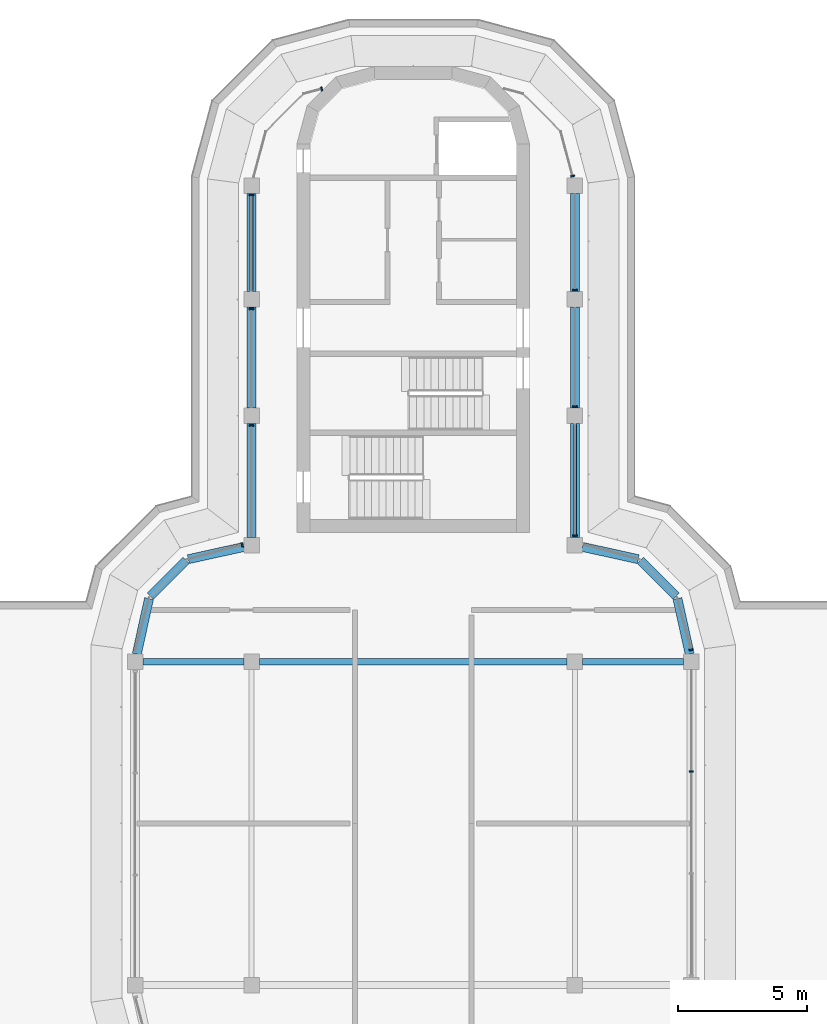
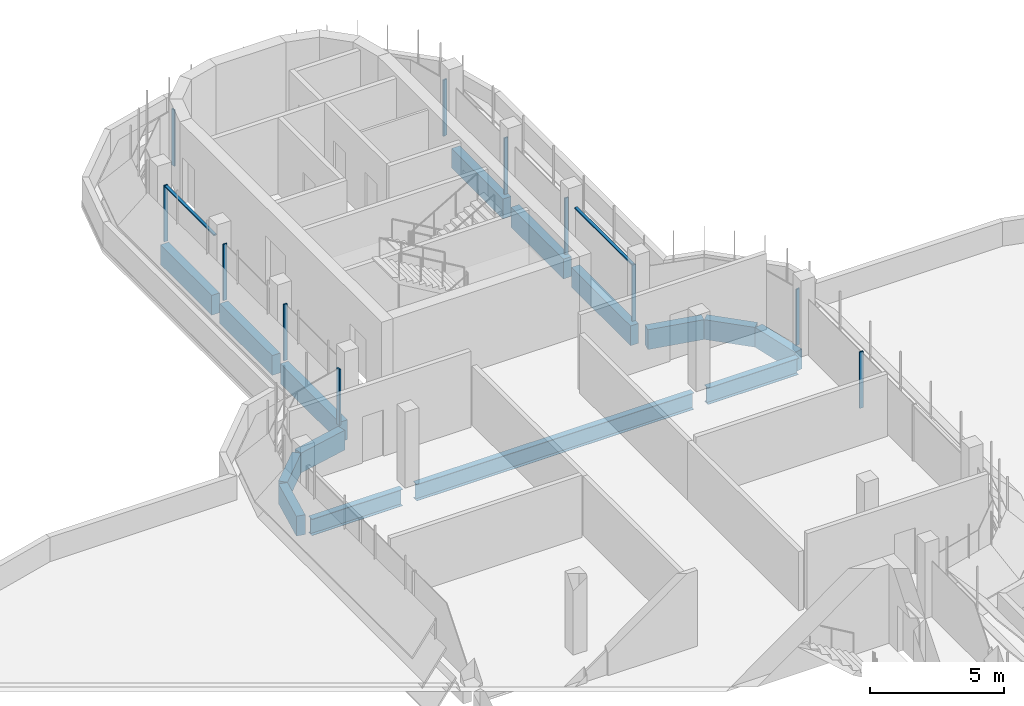
# One storey, part 4 of 13: 15 beams, 13 members, 7 elements without a shape of their own.
"""IFC4 building model written with IfcOpenShell, lengths in metres."""

import ifcopenshell
import ifcopenshell.guid

model = None  # the IFC model being written
_history = None  # IfcOwnerHistory: only IFC2X3 demands one
_inside = {}  # id of a spatial element -> (the spatial element, [elements in it])
_under = {}  # id of a project, library or spatial element -> (it, [spatial elements below it])
_declared = {}  # id of a project -> (the project, [libraries it declares])
_typed = {}  # id of a type object -> (the type object, [elements of that type])
_made_of = {}  # id of a material, layer set ... -> (it, [elements and type objects made of it])


def new_model(schema):
    """Start an empty IFC model of exactly this schema.

    Asked for "IFC4X3", IfcOpenShell would pick the latest addendum, in which some entities
    have other attributes; the version numbers below select the first issue.
    IFC2X3 requires an IfcOwnerHistory on every rooted entity: one is made here for all.
    """
    global model, _history
    if schema == "IFC4X3":
        model = ifcopenshell.file(schema_version=(4, 3, 0, 0))
    else:
        model = ifcopenshell.file(schema=schema)
    _inside.clear()
    _under.clear()
    _declared.clear()
    _typed.clear()
    _made_of.clear()
    _history = None
    if model.schema == "IFC2X3":
        org = make("IfcOrganization", Name="unknown")
        user = make(
            "IfcPersonAndOrganization",
            ThePerson=make("IfcPerson", FamilyName="unknown"),
            TheOrganization=org,
        )
        app = make(
            "IfcApplication",
            ApplicationDeveloper=org,
            Version="unknown",
            ApplicationFullName="unknown",
            ApplicationIdentifier="unknown",
        )
        _history = make(
            "IfcOwnerHistory",
            OwningUser=user,
            OwningApplication=app,
            ChangeAction="ADDED",
            CreationDate=0,
        )
    return model


def make(cls, **values):
    """One entity of the class cls with the attributes given. An attribute that is None is left unset."""
    return model.create_entity(
        cls, **{name: value for name, value in values.items() if value is not None}
    )


def rooted(cls, **values):
    """An entity with a GlobalId (a new one), such as an element, a storey or a relation."""
    return make(cls, GlobalId=ifcopenshell.guid.new(), OwnerHistory=_history, **values)


def si_unit(unit_type, name, prefix=None):
    """IfcSIUnit, for example si_unit("LENGTHUNIT", "METRE", prefix="MILLI")."""
    return make("IfcSIUnit", UnitType=unit_type, Prefix=prefix, Name=name)


def assignment(units):
    """IfcUnitAssignment: the units of a project."""
    return None if units is None else make("IfcUnitAssignment", Units=units)


def point(xyz):
    """IfcCartesianPoint."""
    return None if xyz is None else make("IfcCartesianPoint", Coordinates=xyz)


def direction(xyz):
    """IfcDirection."""
    return None if xyz is None else make("IfcDirection", DirectionRatios=xyz)


def frame(location, z_axis=None, x_axis=None):
    """IfcAxis2Placement3D, a coordinate frame: its origin and axes. An axis left out is left unset."""
    return make(
        "IfcAxis2Placement3D",
        Location=point(location),
        Axis=direction(z_axis),
        RefDirection=direction(x_axis),
    )


def frame_2d(location, x_axis=None):
    """IfcAxis2Placement2D, a coordinate frame in the plane: its origin and x axis."""
    return make(
        "IfcAxis2Placement2D", Location=point(location), RefDirection=direction(x_axis)
    )


def origin():
    """The frame at (0, 0, 0) with its axes left unset."""
    return frame((0.0, 0.0, 0.0))


def origin_2d():
    """The frame at (0, 0) in the plane with its x axis left unset."""
    return frame_2d((0.0, 0.0))


def place(relative_to, where):
    """IfcLocalPlacement: puts the frame where relative to a parent placement (None: the world)."""
    return make(
        "IfcLocalPlacement", PlacementRelTo=relative_to, RelativePlacement=where
    )


def context(
    kind, dimensions, precision=None, world=None, true_north=None, identifier=None
):
    """IfcGeometricRepresentationContext, for example the 3D "Model" context."""
    return make(
        "IfcGeometricRepresentationContext",
        ContextIdentifier=identifier,
        ContextType=kind,
        CoordinateSpaceDimension=dimensions,
        Precision=precision,
        WorldCoordinateSystem=world,
        TrueNorth=true_north,
    )


def subcontext(parent, identifier, kind, view, scale=None):
    """IfcGeometricRepresentationSubContext, for example "Body" below "Model"."""
    return make(
        "IfcGeometricRepresentationSubContext",
        ContextIdentifier=identifier,
        ContextType=kind,
        ParentContext=parent,
        TargetScale=scale,
        TargetView=view,
    )


def project(units=None, contexts=None):
    """IfcProject with its units and contexts."""
    return rooted(
        "IfcProject",
        Name="project",
        RepresentationContexts=contexts,
        UnitsInContext=assignment(units),
    )


def spatial(cls, under=None, at=None, **own):
    """A site, building, storey or space (cls), placed at a placement, below another one or the project."""
    s = rooted(cls, ObjectPlacement=at, **own)
    if under is not None:
        _under.setdefault(under.id(), (under, []))[1].append(s)
    return s


def polyline(points):
    """IfcPolyline through the points."""
    return make("IfcPolyline", Points=[point(p) for p in points])


def profile(cls, at=None, kind="AREA", **sizes):
    """A parametric profile (cls). Its sizes go by their IFC names, for example OverallWidth=200.0."""
    return make(cls, ProfileType=kind, Position=at, **sizes)


def rectangle(**sizes):
    """IfcRectangleProfileDef."""
    return profile("IfcRectangleProfileDef", **sizes)


def i_section(**sizes):
    """IfcIShapeProfileDef."""
    return profile("IfcIShapeProfileDef", **sizes)


def outline(outer, holes=None, kind="AREA"):
    """IfcArbitraryClosedProfileDef: a profile drawn as a closed curve; with holes, ...WithVoids."""
    if holes is None:
        return make("IfcArbitraryClosedProfileDef", ProfileType=kind, OuterCurve=outer)
    return make(
        "IfcArbitraryProfileDefWithVoids",
        ProfileType=kind,
        OuterCurve=outer,
        InnerCurves=holes,
    )


def extrude(swept, where, along, depth):
    """IfcExtrudedAreaSolid: the profile swept, set in the frame where, extruded along a direction by depth."""
    return make(
        "IfcExtrudedAreaSolid",
        SweptArea=swept,
        Position=where,
        ExtrudedDirection=direction(along),
        Depth=depth,
    )


def shape(context_of_items, identifier, shape_type, items):
    """IfcShapeRepresentation: the items that make up one representation, for example the "Body"."""
    return make(
        "IfcShapeRepresentation",
        ContextOfItems=context_of_items,
        RepresentationIdentifier=identifier,
        RepresentationType=shape_type,
        Items=items,
    )


def source(mapping_origin, context_of_items, identifier, shape_type, items):
    """IfcRepresentationMap: a shape defined once, which mapped items show again and again."""
    return make(
        "IfcRepresentationMap",
        MappingOrigin=mapping_origin,
        MappedRepresentation=shape(context_of_items, identifier, shape_type, items),
    )


def transform(
    local_origin,
    x_axis=None,
    y_axis=None,
    z_axis=None,
    scale=None,
    scale2=None,
    scale3=None,
    uniform=True,
):
    """IfcCartesianTransformationOperator3D, or its non-uniform kind. x_axis, y_axis, z_axis: its Axis1, 2, 3."""
    if uniform:
        return make(
            "IfcCartesianTransformationOperator3D",
            Axis1=direction(x_axis),
            Axis2=direction(y_axis),
            LocalOrigin=point(local_origin),
            Scale=scale,
            Axis3=direction(z_axis),
        )
    return make(
        "IfcCartesianTransformationOperator3DnonUniform",
        Axis1=direction(x_axis),
        Axis2=direction(y_axis),
        LocalOrigin=point(local_origin),
        Scale=scale,
        Axis3=direction(z_axis),
        Scale2=scale2,
        Scale3=scale3,
    )


def mapped(mapping_source, mapping_target):
    """IfcMappedItem: shows the shape of a source again, moved by a transform."""
    return make(
        "IfcMappedItem", MappingSource=mapping_source, MappingTarget=mapping_target
    )


def material(Name=None, Category=None):
    """IfcMaterial."""
    return make("IfcMaterial", Name=Name, Category=Category)


def material_profile(
    of_material, cross_section, Name=None, Category=None, Priority=None
):
    """IfcMaterialProfile: a cross section and its material."""
    return make(
        "IfcMaterialProfile",
        Name=Name,
        Material=of_material,
        Profile=cross_section,
        Priority=Priority,
        Category=Category,
    )


def profile_set(profiles, Name=None, composite=None):
    """IfcMaterialProfileSet."""
    return make(
        "IfcMaterialProfileSet",
        Name=Name,
        MaterialProfiles=profiles,
        CompositeProfile=composite,
    )


def made_of(thing, what):
    """Note that an element or type object is made of a material, layer set ...; save() writes the relation."""
    if what is not None:
        _made_of.setdefault(what.id(), (what, []))[1].append(thing)
    return thing


def type_object(cls, material=None, **own):
    """A type object (cls), such as IfcWallType, which elements share."""
    return made_of(rooted(cls, **own), material)


def element(
    cls,
    number,
    at=None,
    inside=None,
    cuts=None,
    type_object=None,
    material=None,
    context=None,
    identifier="Body",
    shape_type=None,
    held_by="IfcProductDefinitionShape",
    body=None,
    shapes=None,
    **own,
):
    """One element of the class cls, such as IfcWall. Its Tag is "e" and its number.

    at: its placement. inside: the storey or other place that contains it. cuts: it is an
    opening in that element (IfcRelVoidsElement). A single representation is given by context,
    identifier, shape_type and body (its items); several are given by shapes. held_by: the class
    of the entity that holds the representations. save() writes the other relations.
    """
    e = rooted(cls, Tag="e%d" % number, ObjectPlacement=at, **own)
    if body is not None:
        shapes = [shape(context, identifier, shape_type, body)]
    if shapes is not None:
        e.Representation = make(held_by, Representations=shapes)
    if inside is not None:
        _inside.setdefault(inside.id(), (inside, []))[1].append(e)
    if cuts is not None:
        rooted(
            "IfcRelVoidsElement", RelatingBuildingElement=cuts, RelatedOpeningElement=e
        )
    if type_object is not None:
        _typed.setdefault(type_object.id(), (type_object, []))[1].append(e)
    return made_of(e, material)


def aggregate(whole, parts):
    """IfcRelAggregates: a whole, such as a stair, and the parts it consists of."""
    return rooted("IfcRelAggregates", RelatingObject=whole, RelatedObjects=parts)


def save(model, path):
    """Write the relations noted so far, then the file.

    IfcRelAggregates (storeys below a building ...), IfcRelContainedInSpatialStructure (elements
    in a storey), IfcRelDefinesByType, IfcRelAssociatesMaterial and IfcRelDeclares: one each for
    every whole, place, type object, material and project.
    """
    for whole, parts in _under.values():
        aggregate(whole, parts)
    for where, things in _inside.values():
        rooted(
            "IfcRelContainedInSpatialStructure",
            RelatedElements=things,
            RelatingStructure=where,
        )
    for kind, things in _typed.values():
        rooted("IfcRelDefinesByType", RelatedObjects=things, RelatingType=kind)
    for what, things in _made_of.values():
        rooted("IfcRelAssociatesMaterial", RelatedObjects=things, RelatingMaterial=what)
    for by, libraries in _declared.values():
        rooted("IfcRelDeclares", RelatingContext=by, RelatedDefinitions=libraries)
    model.write(path)


model = new_model("IFC4")

# Units and contexts
model_context = context("Model", 3, precision=1e-05, world=origin(), true_north=direction((0.0, 1.0)))
body_context = subcontext(model_context, "Body", "Model", "MODEL_VIEW")
ifc_project = project(units=[si_unit("LENGTHUNIT", "METRE"), si_unit("AREAUNIT", "SQUARE_METRE"), si_unit("VOLUMEUNIT", "CUBIC_METRE"), si_unit("PLANEANGLEUNIT", "RADIAN"), si_unit("MASSUNIT", "GRAM", prefix="KILO")], contexts=[model_context])

# Site, building, storey
site_placement = place(None, origin())
site = spatial("IfcSite", under=ifc_project, at=site_placement, CompositionType="ELEMENT")
building_placement = place(site_placement, origin())
building = spatial("IfcBuilding", under=site, at=building_placement, Name="Zarbagh Exchange Tower", CompositionType="ELEMENT")
storey_placement = place(building_placement, frame((0.0, 0.0, 298.800048828125)))
storey = spatial("IfcBuildingStorey", under=building, at=storey_placement, Name="L73", CompositionType="ELEMENT", Elevation=298.800048828125)

# Beams
ifc_material_1 = material(Name="Steel ASTM A992 Gr 50", Category="steel")
ifc_material_profile_1 = material_profile(ifc_material_1, i_section(OverallWidth=0.26416015625, OverallDepth=0.749267578125, WebThickness=0.011962890625, FlangeThickness=0.015380859375, at=origin_2d()), Name="W30X90")
ifc_profile_set_1 = profile_set([ifc_material_profile_1], Name="Steel ASTM A992 Gr 50")
beam_type_1 = type_object("IfcBeamType", Name="Floor girder W30X90", PredefinedType="BEAM", material=ifc_profile_set_1)
beam_1_placement = place(storey_placement, frame((-10.449951171875, 6.25, -0.524658203125), z_axis=(1.0, 0.0, 0.0), x_axis=(0.0, 1.0, 0.0)))
element("IfcBeam", 1, at=beam_1_placement, inside=storey, type_object=beam_type_1, Name="Steel girder", PredefinedType="BEAM", context=body_context, shape_type="SweptSolid", body=[
    extrude(i_section(OverallWidth=0.26416015625, OverallDepth=0.749267578125, WebThickness=0.011962890625, FlangeThickness=0.015380859375, at=origin_2d()), origin(), (0.0, 0.0, 1.0), 3.89990234375),
])
beam_2_placement = place(storey_placement, frame((-5.949951171875, 6.25, -0.524658203125), z_axis=(1.0, 0.0, 0.0), x_axis=(0.0, 1.0, 0.0)))
element("IfcBeam", 2, at=beam_2_placement, inside=storey, type_object=beam_type_1, Name="Steel girder", PredefinedType="BEAM", context=body_context, shape_type="SweptSolid", body=[
    extrude(i_section(OverallWidth=0.26416015625, OverallDepth=0.749267578125, WebThickness=0.011962890625, FlangeThickness=0.015380859375, at=origin_2d()), origin(), (0.0, 0.0, 1.0), 11.89990234375),
])
beam_3_placement = place(storey_placement, frame((6.550048828125, 6.25, -0.524658203125), z_axis=(1.0, 0.0, 0.0), x_axis=(0.0, 1.0, 0.0)))
element("IfcBeam", 3, at=beam_3_placement, inside=storey, type_object=beam_type_1, Name="Steel girder", PredefinedType="BEAM", context=body_context, shape_type="SweptSolid", body=[
    extrude(i_section(OverallWidth=0.26416015625, OverallDepth=0.749267578125, WebThickness=0.011962890625, FlangeThickness=0.015380859375, at=origin_2d()), origin(), (0.0, 0.0, 1.0), 3.89990234375),
])
ifc_material_2 = material(Name="Concrete C40/50", Category="concrete")
ifc_material_profile_2 = material_profile(ifc_material_2, rectangle(XDim=0.35009765625, YDim=0.89990234375, at=origin_2d()), Name="RC spandrel beam 350 x 900 C40/50")
ifc_profile_set_2 = profile_set([ifc_material_profile_2], Name="Concrete C40/50")
beam_type_2 = type_object("IfcBeamType", Name="RC spandrel beam 350 x 900 C40/50", PredefinedType="SPANDREL", material=ifc_profile_set_2)
beam_4_placement = place(storey_placement, frame((-10.685302734375, 6.54296875, -0.60009765625), z_axis=(0.216025770228, 0.976387662047, 0.0), x_axis=(-0.976387662047, 0.216025770228, 0.0)))
element("IfcBeam", 4, at=beam_4_placement, inside=storey, type_object=beam_type_2, Name="RC spandrel beam", PredefinedType="SPANDREL", context=body_context, shape_type="SweptSolid", body=[
    extrude(rectangle(XDim=0.35009765625, YDim=0.89990234375, at=origin_2d()), origin(), (0.0, 0.0, 1.0), 2.200439453125),
])
beam_5_placement = place(storey_placement, frame((-10.16259765625, 8.77734375, -0.60009765625), z_axis=(0.707106781187, 0.707106781187, 0.0), x_axis=(-0.707106781187, 0.707106781187, 0.0)))
element("IfcBeam", 5, at=beam_5_placement, inside=storey, type_object=beam_type_2, Name="RC spandrel beam", PredefinedType="SPANDREL", context=body_context, shape_type="SweptSolid", body=[
    extrude(rectangle(XDim=0.35009765625, YDim=0.89990234375, at=origin_2d()), origin(), (0.0, 0.0, 1.0), 1.958984375),
])
beam_6_placement = place(storey_placement, frame((-8.69140625, 10.2099609375, -0.60009765625), z_axis=(0.976387662047, 0.216025770228, 0.0), x_axis=(-0.216025770228, 0.976387662047, 0.0)))
element("IfcBeam", 6, at=beam_6_placement, inside=storey, type_object=beam_type_2, Name="RC spandrel beam", PredefinedType="SPANDREL", context=body_context, shape_type="SweptSolid", body=[
    extrude(rectangle(XDim=0.35009765625, YDim=0.89990234375, at=origin_2d()), origin(), (0.0, 0.0, 1.0), 2.200439453125),
])
beam_7_placement = place(storey_placement, frame((-6.25, 11.050048828125, -0.60009765625), z_axis=(0.0, 1.0, 0.0), x_axis=(-1.0, 0.0, 0.0)))
element("IfcBeam", 7, at=beam_7_placement, inside=storey, type_object=beam_type_2, Name="RC spandrel beam", PredefinedType="SPANDREL", context=body_context, shape_type="SweptSolid", body=[
    extrude(rectangle(XDim=0.35009765625, YDim=0.89990234375, at=origin_2d()), origin(), (0.0, 0.0, 1.0), 4.39990234375),
])
beam_8_placement = place(storey_placement, frame((-6.25, 16.050048828125, -0.60009765625), z_axis=(0.0, 1.0, 0.0), x_axis=(-1.0, 0.0, 0.0)))
element("IfcBeam", 8, at=beam_8_placement, inside=storey, type_object=beam_type_2, Name="RC spandrel beam", PredefinedType="SPANDREL", context=body_context, shape_type="SweptSolid", body=[
    extrude(rectangle(XDim=0.35009765625, YDim=0.89990234375, at=origin_2d()), origin(), (0.0, 0.0, 1.0), 3.89990234375),
])
for number, where, z_axis, x_axis, name in (
    (9, (-6.25, 20.550048828125, -0.60009765625), (0.0, 1.0, 0.0), (-1.0, 0.0, 0.0), "RC spandrel beam"),
    (10, (6.25, 24.35009765625, -0.60009765625), (0.0, -1.0, 0.0), (1.0, 0.0, 0.0), "RC spandrel beam"),
):
    element("IfcBeam", number, at=place(storey_placement, frame(where, z_axis=z_axis, x_axis=x_axis)), inside=storey, type_object=beam_type_2, Name=name, PredefinedType="SPANDREL", context=body_context, shape_type="SweptSolid", body=[
        extrude(rectangle(XDim=0.35009765625, YDim=0.89990234375, at=origin_2d()), origin(), (0.0, 0.0, 1.0), 3.800048828125),
    ])
beam_9_placement = place(storey_placement, frame((6.25, 19.949951171875, -0.60009765625), z_axis=(0.0, -1.0, 0.0), x_axis=(1.0, 0.0, 0.0)))
element("IfcBeam", 11, at=beam_9_placement, inside=storey, type_object=beam_type_2, Name="RC spandrel beam", PredefinedType="SPANDREL", context=body_context, shape_type="SweptSolid", body=[
    extrude(rectangle(XDim=0.35009765625, YDim=0.89990234375, at=origin_2d()), origin(), (0.0, 0.0, 1.0), 3.89990234375),
])
beam_10_placement = place(storey_placement, frame((6.25, 15.449951171875, -0.60009765625), z_axis=(0.0, -1.0, 0.0), x_axis=(1.0, 0.0, 0.0)))
element("IfcBeam", 12, at=beam_10_placement, inside=storey, type_object=beam_type_2, Name="RC spandrel beam", PredefinedType="SPANDREL", context=body_context, shape_type="SweptSolid", body=[
    extrude(rectangle(XDim=0.35009765625, YDim=0.89990234375, at=origin_2d()), origin(), (0.0, 0.0, 1.0), 4.39990234375),
])
beam_11_placement = place(storey_placement, frame((6.54296875, 10.685302734375, -0.60009765625), z_axis=(0.976387662047, -0.216025770228, 0.0), x_axis=(0.216025770228, 0.976387662047, 0.0)))
element("IfcBeam", 13, at=beam_11_placement, inside=storey, type_object=beam_type_2, Name="RC spandrel beam", PredefinedType="SPANDREL", context=body_context, shape_type="SweptSolid", body=[
    extrude(rectangle(XDim=0.35009765625, YDim=0.89990234375, at=origin_2d()), origin(), (0.0, 0.0, 1.0), 2.200439453125),
])
beam_12_placement = place(storey_placement, frame((8.77734375, 10.16259765625, -0.60009765625), z_axis=(0.707106781187, -0.707106781187, 0.0), x_axis=(0.707106781187, 0.707106781187, 0.0)))
element("IfcBeam", 14, at=beam_12_placement, inside=storey, type_object=beam_type_2, Name="RC spandrel beam", PredefinedType="SPANDREL", context=body_context, shape_type="SweptSolid", body=[
    extrude(rectangle(XDim=0.35009765625, YDim=0.89990234375, at=origin_2d()), origin(), (0.0, 0.0, 1.0), 1.958984375),
])
beam_13_placement = place(storey_placement, frame((10.2099609375, 8.69140625, -0.60009765625), z_axis=(0.216025770228, -0.976387662047, 0.0), x_axis=(0.976387662047, 0.216025770228, 0.0)))
element("IfcBeam", 15, at=beam_13_placement, inside=storey, type_object=beam_type_2, Name="RC spandrel beam", PredefinedType="SPANDREL", context=body_context, shape_type="SweptSolid", body=[
    extrude(rectangle(XDim=0.35009765625, YDim=0.89990234375, at=origin_2d()), origin(), (0.0, 0.0, 1.0), 2.200439453125),
])

# Curtain wall, member
ifc_material_3 = material(Name="Anodised aluminium frame and glazing", Category="aluminium")
curtain_wall_type = type_object("IfcCurtainWallType", Name="CWF Crown tier glazing", PredefinedType="NOTDEFINED", material=ifc_material_3)
curtain_wall_1_placement = place(storey_placement, origin())
curtain_wall_1 = element("IfcCurtainWall", 16, at=curtain_wall_1_placement, inside=storey, type_object=curtain_wall_type, Name="CWF20 curtain wall", PredefinedType="NOTDEFINED")
ifc_material_4 = material(Name="Anodised aluminium frame", Category="aluminium")
member_type_1 = type_object("IfcMemberType", Name="TRF Transom, anodised aluminium frame", PredefinedType="USERDEFINED", material=ifc_material_4)
shared_shape_1 = source(origin(), body_context, "Body", "SweptSolid", [
    extrude(outline(polyline([(-0.06005859375, -0.06005859375), (0.0, -0.06005859375), (0.0, 0.06005859375), (-0.06005859375, 0.06005859375), (-0.06005859375, -0.06005859375)])), origin(), (0.0, 0.0, 1.0), 4.260009765625),
])
placement = place(storey_placement, origin())
member_1 = element("IfcMember", 17, at=placement, type_object=member_type_1, Name="CWF20 transom 1.1", ObjectType="TRANSOM", PredefinedType="USERDEFINED", context=body_context, shape_type="MappedRepresentation", body=[
    mapped(shared_shape_1, transform((6.25, 11.150146484375, 2.550048828125), x_axis=(0.0, 0.0, 1.0), y_axis=(1.0, 0.0, 0.0), z_axis=(0.0, 1.0, 0.0))),
])

curtain_wall_2_placement = place(storey_placement, origin())
curtain_wall_2 = element("IfcCurtainWall", 18, at=curtain_wall_2_placement, inside=storey, type_object=curtain_wall_type, Name="CWF27 curtain wall", PredefinedType="NOTDEFINED")
shared_shape_2 = source(origin(), body_context, "Body", "SweptSolid", [
    extrude(outline(polyline([(-0.06005859375, -0.06005859375), (0.0, -0.06005859375), (0.0, 0.06005859375), (-0.06005859375, 0.06005859375), (-0.06005859375, -0.06005859375)])), origin(), (0.0, 0.0, 1.0), 3.659912109375),
])
member_2 = element("IfcMember", 19, at=placement, type_object=member_type_1, Name="CWF27 transom 1.1", ObjectType="TRANSOM", PredefinedType="USERDEFINED", context=body_context, shape_type="MappedRepresentation", body=[
    mapped(shared_shape_2, transform((-6.25, 24.25, 2.550048828125), x_axis=(0.0, 0.0, 1.0), y_axis=(-1.0, 0.0, 0.0), z_axis=(0.0, -1.0, 0.0))),
])

curtain_wall_3_placement = place(storey_placement, origin())
curtain_wall_3 = element("IfcCurtainWall", 20, at=curtain_wall_3_placement, inside=storey, type_object=curtain_wall_type, Name="CWF47 curtain wall", PredefinedType="NOTDEFINED")
member_type_2 = type_object("IfcMemberType", Name="MUF Mullion, anodised aluminium frame", PredefinedType="MULLION", material=ifc_material_4)
shared_shape_3 = source(origin(), body_context, "Body", "SweptSolid", [
    extrude(outline(polyline([(0.0, -0.080078125), (0.06005859375, -0.080078125), (0.06005859375, 0.080078125), (0.0, 0.080078125), (0.0, -0.080078125)])), origin(), (0.0, 0.0, 1.0), 2.550048828125),
])
member_3 = element("IfcMember", 21, at=placement, type_object=member_type_2, Name="CWF47 mullion 1.3", PredefinedType="MULLION", context=body_context, shape_type="MappedRepresentation", body=[
    mapped(shared_shape_3, transform((10.75, 1.969970703125, 0.0), x_axis=(0.0, 1.0, 0.0), y_axis=(-1.0, 0.0, 0.0), z_axis=(0.0, 0.0, 1.0))),
])
aggregate(curtain_wall_3, [member_3])

curtain_wall_4_placement = place(storey_placement, origin())
curtain_wall_4 = element("IfcCurtainWall", 22, at=curtain_wall_4_placement, inside=storey, type_object=curtain_wall_type, Name="CWF17 curtain wall", PredefinedType="NOTDEFINED")
member_4 = element("IfcMember", 23, at=placement, type_object=member_type_2, Name="CWF17 mullion 1.1", PredefinedType="MULLION", context=body_context, shape_type="MappedRepresentation", body=[
    mapped(shared_shape_3, transform((10.75, 6.68408203125, 0.0), x_axis=(-0.258824779902, 0.965924289636, 0.0), y_axis=(-0.965924289636, -0.258824779902, 0.0), z_axis=(0.0, 0.0, 1.0))),
])
aggregate(curtain_wall_4, [member_4])

# Member
member_5 = element("IfcMember", 24, at=placement, type_object=member_type_2, Name="CWF20 mullion 1.1", PredefinedType="MULLION", context=body_context, shape_type="MappedRepresentation", body=[
    mapped(shared_shape_3, transform((6.25, 11.090087890625, 0.0), x_axis=(0.0, 1.0, 0.0), y_axis=(-1.0, 0.0, 0.0), z_axis=(0.0, 0.0, 1.0))),
])

member_6 = element("IfcMember", 25, at=placement, type_object=member_type_2, Name="CWF20 mullion 2.1", PredefinedType="MULLION", context=body_context, shape_type="MappedRepresentation", body=[
    mapped(shared_shape_3, transform((6.25, 16.090087890625, 0.0), x_axis=(0.0, 1.0, 0.0), y_axis=(-1.0, 0.0, 0.0), z_axis=(0.0, 0.0, 1.0))),
])

member_7 = element("IfcMember", 26, at=placement, type_object=member_type_2, Name="CWF20 mullion 3.1", PredefinedType="MULLION", context=body_context, shape_type="MappedRepresentation", body=[
    mapped(shared_shape_3, transform((6.25, 20.590087890625, 0.0), x_axis=(0.0, 1.0, 0.0), y_axis=(-1.0, 0.0, 0.0), z_axis=(0.0, 0.0, 1.0))),
])

aggregate(curtain_wall_1, [member_5, member_1, member_6, member_7])

# Curtain wall, member
curtain_wall_5_placement = place(storey_placement, origin())
curtain_wall_5 = element("IfcCurtainWall", 27, at=curtain_wall_5_placement, inside=storey, type_object=curtain_wall_type, Name="CWF21 curtain wall", PredefinedType="NOTDEFINED")
member_8 = element("IfcMember", 28, at=placement, type_object=member_type_2, Name="CWF21 mullion 1.1", PredefinedType="MULLION", context=body_context, shape_type="MappedRepresentation", body=[
    mapped(shared_shape_3, transform((6.16796875, 24.989990234375, 0.0), x_axis=(-0.258824779902, 0.965924289636, 0.0), y_axis=(-0.965924289636, -0.258824779902, 0.0), z_axis=(0.0, 0.0, 1.0))),
])
aggregate(curtain_wall_5, [member_8])

curtain_wall_6_placement = place(storey_placement, origin())
curtain_wall_6 = element("IfcCurtainWall", 29, at=curtain_wall_6_placement, inside=storey, type_object=curtain_wall_type, Name="CWF24 curtain wall", PredefinedType="NOTDEFINED")
member_9 = element("IfcMember", 30, at=placement, type_object=member_type_2, Name="CWF24 mullion 1.1", PredefinedType="MULLION", context=body_context, shape_type="MappedRepresentation", body=[
    mapped(shared_shape_3, transform((-3.510009765625, 28.394775390625, 0.0), x_axis=(-0.965924289636, -0.258824779902, 0.0), y_axis=(0.258824779902, -0.965924289636, 0.0), z_axis=(0.0, 0.0, 1.0))),
])
aggregate(curtain_wall_6, [member_9])

# Member
member_10 = element("IfcMember", 31, at=placement, type_object=member_type_2, Name="CWF27 mullion 1.1", PredefinedType="MULLION", context=body_context, shape_type="MappedRepresentation", body=[
    mapped(shared_shape_3, transform((-6.25, 24.31005859375, 0.0), x_axis=(0.0, -1.0, 0.0), y_axis=(1.0, 0.0, 0.0), z_axis=(0.0, 0.0, 1.0))),
])

member_11 = element("IfcMember", 32, at=placement, type_object=member_type_2, Name="CWF27 mullion 2.1", PredefinedType="MULLION", context=body_context, shape_type="MappedRepresentation", body=[
    mapped(shared_shape_3, transform((-6.25, 19.909912109375, 0.0), x_axis=(0.0, -1.0, 0.0), y_axis=(1.0, 0.0, 0.0), z_axis=(0.0, 0.0, 1.0))),
])

member_12 = element("IfcMember", 33, at=placement, type_object=member_type_2, Name="CWF27 mullion 3.1", PredefinedType="MULLION", context=body_context, shape_type="MappedRepresentation", body=[
    mapped(shared_shape_3, transform((-6.25, 15.409912109375, 0.0), x_axis=(0.0, -1.0, 0.0), y_axis=(1.0, 0.0, 0.0), z_axis=(0.0, 0.0, 1.0))),
])

aggregate(curtain_wall_2, [member_10, member_2, member_11, member_12])

# Curtain wall, member
curtain_wall_7_placement = place(storey_placement, origin())
curtain_wall_7 = element("IfcCurtainWall", 34, at=curtain_wall_7_placement, inside=storey, type_object=curtain_wall_type, Name="CWF28 curtain wall", PredefinedType="NOTDEFINED")
member_13 = element("IfcMember", 35, at=placement, type_object=member_type_2, Name="CWF28 mullion 1.1", PredefinedType="MULLION", context=body_context, shape_type="MappedRepresentation", body=[
    mapped(shared_shape_3, transform((-6.590087890625, 10.775146484375, 0.0), x_axis=(-0.965924289636, -0.258824779902, 0.0), y_axis=(0.258824779902, -0.965924289636, 0.0), z_axis=(0.0, 0.0, 1.0))),
])
aggregate(curtain_wall_7, [member_13])

save(model, "model.ifc")
